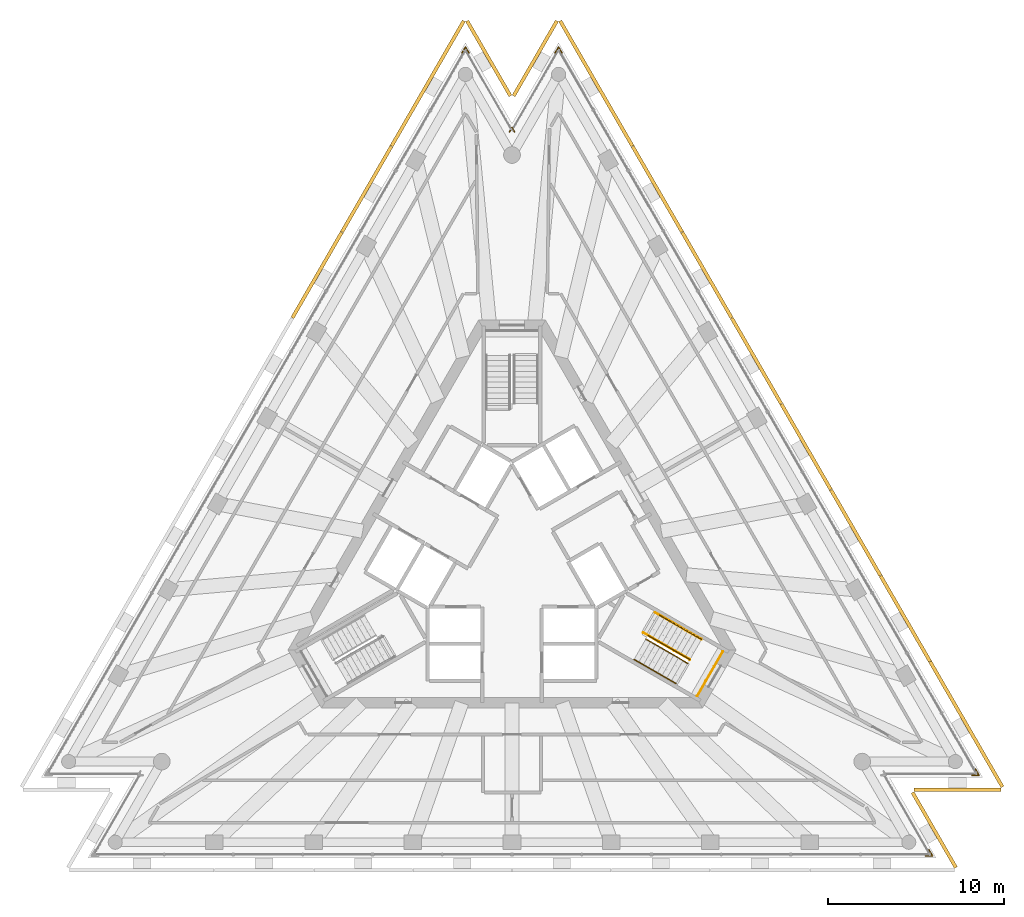
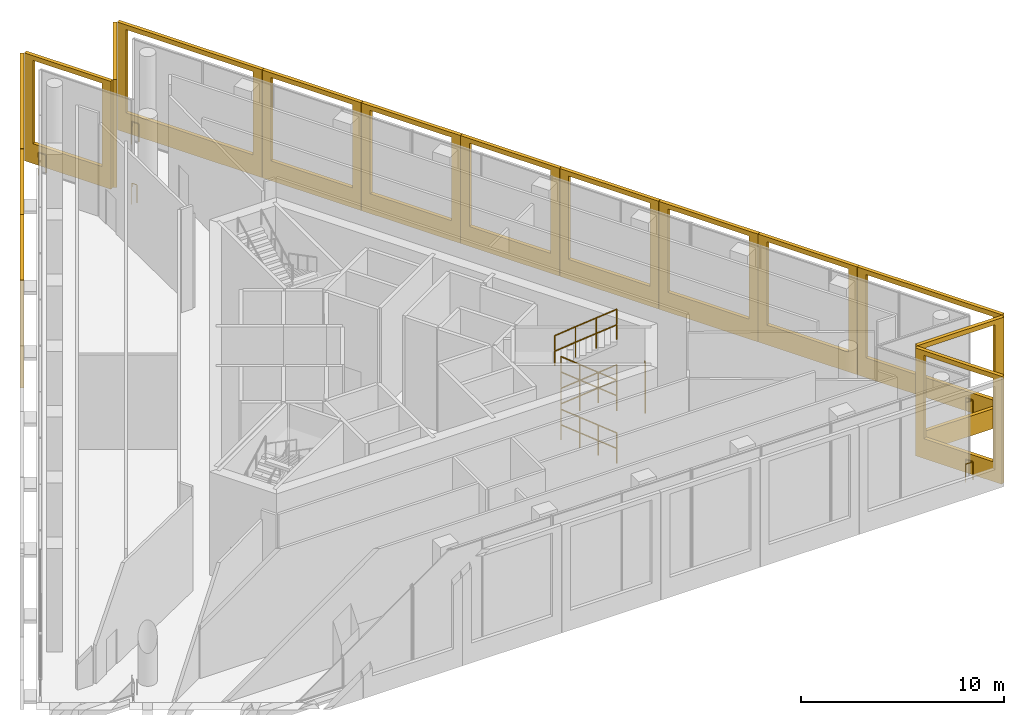
# One storey, part 16 of 16: 15 shading devices, 14 railings, 1 element without a shape of its own.
"""IFC4 building model written with IfcOpenShell, lengths in metres."""

from ifc_helpers import new_model, si_unit, direction, frame, origin, origin_2d, place, context, subcontext, project, spatial, polyline, circle, outline, extrude, material, layer, layer_set, type_object, element, aggregate, save


model = new_model("IFC4")

# Units and contexts
model_context = context("Model", 3, precision=1e-05, world=origin(), true_north=direction((0.0, 1.0)))
body_context = subcontext(model_context, "Body", "Model", "MODEL_VIEW")
ifc_project = project(units=[si_unit("LENGTHUNIT", "METRE"), si_unit("AREAUNIT", "SQUARE_METRE"), si_unit("VOLUMEUNIT", "CUBIC_METRE"), si_unit("PLANEANGLEUNIT", "RADIAN"), si_unit("MASSUNIT", "GRAM", prefix="KILO")], contexts=[model_context])

# Site, building, storey
site_placement = place(None, origin())
site = spatial("IfcSite", under=ifc_project, at=site_placement, CompositionType="ELEMENT")
building_placement = place(site_placement, origin())
building = spatial("IfcBuilding", under=site, at=building_placement, Name="Triada Interchange Tower", CompositionType="ELEMENT")
storey_placement = place(building_placement, frame((0.0, 0.0, 261.800048828125)))
storey = spatial("IfcBuildingStorey", under=building, at=storey_placement, Name="L61", CompositionType="ELEMENT", Elevation=261.800048828125)

# Railings
ifc_material_1 = material(Name="Stainless steel 1.4301", Category="steel")
railing_type_1 = type_object("IfcRailingType", Name="Edge guard 1100", PredefinedType="GUARDRAIL", material=ifc_material_1)
railing_1_placement = place(storey_placement, frame((-2.443115234375, 28.77587890625, 0.0)))
element("IfcRailing", 1, at=railing_1_placement, inside=storey, type_object=railing_type_1, Name="Edge guard L61 corner 01", PredefinedType="GUARDRAIL", context=body_context, shape_type="SweptSolid", body=[
    extrude(circle(Radius=0.02392578125, at=origin_2d()), frame((0.0, 0.0, 1.076171875), z_axis=(-0.49930626892, 0.866425559305, 0.0), x_axis=(-0.866425559305, -0.49930626892, 0.0)), (0.0, 0.0, 1.0), 0.40625),
    extrude(circle(Radius=0.02392578125, at=origin_2d()), frame((-0.202880859375, 0.35205078125, 1.076171875), z_axis=(-0.499757119926, -0.866165585257, 0.0), x_axis=(0.866165585257, -0.499757119926, 0.0)), (0.0, 0.0, 1.0), 0.406494140625),
    extrude(circle(Radius=0.02099609375, at=origin_2d()), origin(), (0.0, 0.0, 1.0), 1.052001953125),
    extrude(circle(Radius=0.02099609375, at=origin_2d()), frame((-0.202880859375, 0.35205078125, 0.0)), (0.0, 0.0, 1.0), 1.052001953125),
    extrude(circle(Radius=0.02099609375, at=origin_2d()), frame((-0.406005859375, 0.0, 0.0)), (0.0, 0.0, 1.0), 1.052001953125),
])
for number, where, name in (
    (2, (23.4970703125, -16.85595703125, 0.0), "Edge guard L61 corner 05"),
    (3, (26.14306640625, -12.27197265625, 0.0), "Edge guard L61 corner 07"),
):
    element("IfcRailing", number, at=place(storey_placement, frame(where)), inside=storey, type_object=railing_type_1, Name=name, PredefinedType="GUARDRAIL", context=body_context, shape_type="SweptSolid", body=[
        extrude(circle(Radius=0.02392578125, at=origin_2d()), frame((0.0, 0.0, 1.076171875), z_axis=(1.0, 0.0, 0.0), x_axis=(0.0, 1.0, 0.0)), (0.0, 0.0, 1.0), 0.406005859375),
        extrude(circle(Radius=0.02392578125, at=origin_2d()), frame((0.406005859375, 0.0, 1.076171875), z_axis=(-0.499757119926, 0.866165585257, 0.0), x_axis=(-0.866165585257, -0.499757119926, 0.0)), (0.0, 0.0, 1.0), 0.406494140625),
        extrude(circle(Radius=0.02099609375, at=origin_2d()), origin(), (0.0, 0.0, 1.0), 1.052001953125),
        extrude(circle(Radius=0.02099609375, at=origin_2d()), frame((0.406005859375, 0.0, 0.0)), (0.0, 0.0, 1.0), 1.052001953125),
        extrude(circle(Radius=0.02099609375, at=origin_2d()), frame((0.202880859375, 0.35205078125, 0.0)), (0.0, 0.0, 1.0), 1.052001953125),
    ])
railing_2_placement = place(storey_placement, frame((2.84912109375, 28.77587890625, 0.0)))
element("IfcRailing", 4, at=railing_2_placement, inside=storey, type_object=railing_type_1, Name="Edge guard L61 corner 08", PredefinedType="GUARDRAIL", context=body_context, shape_type="SweptSolid", body=[
    extrude(circle(Radius=0.02392578125, at=origin_2d()), frame((0.0, 0.0, 1.076171875), z_axis=(-0.499757119926, 0.866165585257, 0.0), x_axis=(-0.866165585257, -0.499757119926, 0.0)), (0.0, 0.0, 1.0), 0.406494140625),
    extrude(circle(Radius=0.02392578125, at=origin_2d()), frame((-0.203125, 0.35205078125, 1.076171875), z_axis=(-0.49930626892, -0.866425559305, 0.0), x_axis=(0.866425559305, -0.49930626892, 0.0)), (0.0, 0.0, 1.0), 0.40625),
    extrude(circle(Radius=0.02099609375, at=origin_2d()), origin(), (0.0, 0.0, 1.0), 1.052001953125),
    extrude(circle(Radius=0.02099609375, at=origin_2d()), frame((-0.203125, 0.35205078125, 0.0)), (0.0, 0.0, 1.0), 1.052001953125),
    extrude(circle(Radius=0.02099609375, at=origin_2d()), frame((-0.406005859375, 0.0, 0.0)), (0.0, 0.0, 1.0), 1.052001953125),
])
railing_3_placement = place(storey_placement, frame((-0.14306640625, 24.297119140625, 0.0)))
element("IfcRailing", 5, at=railing_3_placement, inside=storey, type_object=railing_type_1, Name="Edge guard L61 corner 09", PredefinedType="GUARDRAIL", context=body_context, shape_type="SweptSolid", body=[
    extrude(circle(Radius=0.02392578125, at=origin_2d()), frame((0.0, 0.0, 1.076171875), z_axis=(0.499993265928, 0.866029291668, 0.0), x_axis=(-0.866029291668, 0.499993265928, 0.0)), (0.0, 0.0, 1.0), 0.2861328125),
    extrude(circle(Radius=0.02392578125, at=origin_2d()), frame((0.14306640625, 0.247802734375, 1.076171875), z_axis=(0.499993265928, -0.866029291668, 0.0), x_axis=(0.866029291668, 0.499993265928, 0.0)), (0.0, 0.0, 1.0), 0.2861328125),
    extrude(circle(Radius=0.02099609375, at=origin_2d()), origin(), (0.0, 0.0, 1.0), 1.052001953125),
    extrude(circle(Radius=0.02099609375, at=origin_2d()), frame((0.14306640625, 0.247802734375, 0.0)), (0.0, 0.0, 1.0), 1.052001953125),
    extrude(circle(Radius=0.02099609375, at=origin_2d()), frame((0.2861328125, 0.0, 0.0)), (0.0, 0.0, 1.0), 1.052001953125),
])

# Shading devices
ifc_material_2 = material(Name="Concrete C50/60 precast", Category="concrete")
ifc_layer_1 = layer(ifc_material_2, 0.02001953125, Name="Exposed aggregate face")
ifc_layer_2 = layer(ifc_material_2, 0.179931640625, Name="Precast concrete screen")
ifc_layer_set = layer_set([ifc_layer_1, ifc_layer_2], Name="Outer skin screen panel 6480")
shading_device_type = type_object("IfcShadingDeviceType", Name="Outer skin screen panel 6480", PredefinedType="SHUTTER", material=ifc_layer_set)
shading_device_1_placement = place(storey_placement, frame((-2.65087890625, 30.55908203125, -0.2900390625), z_axis=(0.0, 0.0, 1.0), x_axis=(-0.500028551568, -0.866008918901, 0.0)))
element("IfcShadingDevice", 6, at=shading_device_1_placement, inside=storey, type_object=shading_device_type, Name="Outer skin screen panel L61 01", PredefinedType="SHUTTER", context=body_context, shape_type="SweptSolid", body=[
    extrude(outline(polyline([(0.0, 0.0), (8.2158203125, 0.0), (8.2158203125, 6.47998046875), (0.0, 6.47998046875), (0.0, 0.0)]), holes=[polyline([(0.5, 1.18994140625), (0.5, 6.199951171875), (7.7158203125, 6.199951171875), (7.7158203125, 1.18994140625), (0.5, 1.18994140625)])]), frame((0.0, 0.0, 0.0), z_axis=(0.0, -1.0, 0.0), x_axis=(1.0, 0.0, 0.0)), (0.0, 0.0, 1.0), 0.199951171875),
])
for number, where, z_axis, x_axis, name in (
    (7, (-6.76904296875, 23.427001953125, -0.2900390625), (0.0, 0.0, 1.0), (-0.500004601921, -0.866022746848, 0.0), "Outer skin screen panel L61 02"),
    (8, (-9.587890625, 18.5439453125, -0.2900390625), (0.0, 0.0, 1.0), (-0.500037195483, -0.866003927897, 0.0), "Outer skin screen panel L61 03"),
):
    element("IfcShadingDevice", number, at=place(storey_placement, frame(where, z_axis=z_axis, x_axis=x_axis)), inside=storey, type_object=shading_device_type, Name=name, PredefinedType="SHUTTER", context=body_context, shape_type="SweptSolid", body=[
        extrude(outline(polyline([(0.0, 0.0), (5.61767578125, 0.0), (5.61767578125, 6.47998046875), (0.0, 6.47998046875), (0.0, 0.0)]), holes=[polyline([(0.5, 1.18994140625), (0.5, 6.199951171875), (5.117919921875, 6.199951171875), (5.117919921875, 1.18994140625), (0.5, 1.18994140625)])]), frame((0.0, 0.0, 0.0), z_axis=(0.0, -1.0, 0.0), x_axis=(1.0, 0.0, 0.0)), (0.0, 0.0, 1.0), 0.199951171875),
    ])
shading_device_2_placement = place(storey_placement, frame((25.14501953125, -17.56689453125, -0.2900390625), z_axis=(0.0, 0.0, 1.0), x_axis=(-0.50003563795, 0.866004827227, 0.0)))
element("IfcShadingDevice", 9, at=shading_device_2_placement, inside=storey, type_object=shading_device_type, Name="Outer skin screen panel L61 19", PredefinedType="SHUTTER", context=body_context, shape_type="SweptSolid", body=[
    extrude(outline(polyline([(0.0, 0.0), (4.926025390625, 0.0), (4.926025390625, 6.47998046875), (0.0, 6.47998046875), (0.0, 0.0)]), holes=[polyline([(0.5, 1.18994140625), (0.5, 6.199951171875), (4.426513671875, 6.199951171875), (4.426513671875, 1.18994140625), (0.5, 1.18994140625)])]), frame((0.0, 0.0, 0.0), z_axis=(0.0, -1.0, 0.0), x_axis=(1.0, 0.0, 0.0)), (0.0, 0.0, 1.0), 0.199951171875),
])
shading_device_3_placement = place(storey_placement, frame((22.860107421875, -12.991943359375, -0.2900390625), z_axis=(0.0, 0.0, 1.0), x_axis=(1.0, 0.0, 0.0)))
element("IfcShadingDevice", 10, at=shading_device_3_placement, inside=storey, type_object=shading_device_type, Name="Outer skin screen panel L61 20", PredefinedType="SHUTTER", context=body_context, shape_type="SweptSolid", body=[
    extrude(outline(polyline([(0.0, 0.0), (4.92578125, 0.0), (4.92578125, 6.47998046875), (0.0, 6.47998046875), (0.0, 0.0)]), holes=[polyline([(0.5, 1.18994140625), (0.5, 6.199951171875), (4.426025390625, 6.199951171875), (4.426025390625, 1.18994140625), (0.5, 1.18994140625)])]), frame((0.0, 0.0, 0.0), z_axis=(0.0, -1.0, 0.0), x_axis=(1.0, 0.0, 0.0)), (0.0, 0.0, 1.0), 0.199951171875),
])
shading_device_4_placement = place(storey_placement, frame((27.791015625, -12.98291015625, -0.2900390625), z_axis=(0.0, 0.0, 1.0), x_axis=(-0.500006265035, 0.866021786635, 0.0)))
element("IfcShadingDevice", 11, at=shading_device_4_placement, inside=storey, type_object=shading_device_type, Name="Outer skin screen panel L61 21", PredefinedType="SHUTTER", context=body_context, shape_type="SweptSolid", body=[
    extrude(outline(polyline([(0.0, 0.0), (8.2158203125, 0.0), (8.2158203125, 6.47998046875), (0.0, 6.47998046875), (0.0, 0.0)]), holes=[polyline([(0.5, 1.18994140625), (0.5, 6.199951171875), (7.7158203125, 6.199951171875), (7.7158203125, 1.18994140625), (0.5, 1.18994140625)])]), frame((0.0, 0.0, 0.0), z_axis=(0.0, -1.0, 0.0), x_axis=(1.0, 0.0, 0.0)), (0.0, 0.0, 1.0), 0.199951171875),
])
for number, where, z_axis, x_axis, name in (
    (12, (23.673095703125, -5.85107421875, -0.2900390625), (0.0, 0.0, 1.0), (-0.500037195483, 0.866003927897, 0.0), "Outer skin screen panel L61 22"),
    (13, (20.85400390625, -0.968017578125, -0.2900390625), (0.0, 0.0, 1.0), (-0.500037195483, 0.866003927897, 0.0), "Outer skin screen panel L61 23"),
    (14, (18.034912109375, 3.9140625, -0.2900390625), (0.0, 0.0, 1.0), (-0.500004601921, 0.866022746848, 0.0), "Outer skin screen panel L61 24"),
    (15, (15.216064453125, 8.797119140625, -0.2900390625), (0.0, 0.0, 1.0), (-0.500037195483, 0.866003927897, 0.0), "Outer skin screen panel L61 25"),
    (16, (12.39697265625, 13.678955078125, -0.2900390625), (0.0, 0.0, 1.0), (-0.500037195483, 0.866003927897, 0.0), "Outer skin screen panel L61 26"),
    (17, (9.577880859375, 18.56201171875, -0.2900390625), (0.0, 0.0, 1.0), (-0.500004601921, 0.866022746848, 0.0), "Outer skin screen panel L61 27"),
):
    element("IfcShadingDevice", number, at=place(storey_placement, frame(where, z_axis=z_axis, x_axis=x_axis)), inside=storey, type_object=shading_device_type, Name=name, PredefinedType="SHUTTER", context=body_context, shape_type="SweptSolid", body=[
        extrude(outline(polyline([(0.0, 0.0), (5.61767578125, 0.0), (5.61767578125, 6.47998046875), (0.0, 6.47998046875), (0.0, 0.0)]), holes=[polyline([(0.5, 1.18994140625), (0.5, 6.199951171875), (5.117919921875, 6.199951171875), (5.117919921875, 1.18994140625), (0.5, 1.18994140625)])]), frame((0.0, 0.0, 0.0), z_axis=(0.0, -1.0, 0.0), x_axis=(1.0, 0.0, 0.0)), (0.0, 0.0, 1.0), 0.199951171875),
    ])
shading_device_5_placement = place(storey_placement, frame((6.759033203125, 23.444091796875, -0.2900390625), z_axis=(0.0, 0.0, 1.0), x_axis=(-0.500028551568, 0.866008918901, 0.0)))
element("IfcShadingDevice", 18, at=shading_device_5_placement, inside=storey, type_object=shading_device_type, Name="Outer skin screen panel L61 28", PredefinedType="SHUTTER", context=body_context, shape_type="SweptSolid", body=[
    extrude(outline(polyline([(0.0, 0.0), (8.2158203125, 0.0), (8.2158203125, 6.47998046875), (0.0, 6.47998046875), (0.0, 0.0)]), holes=[polyline([(0.5, 1.18994140625), (0.5, 6.199951171875), (7.7158203125, 6.199951171875), (7.7158203125, 1.18994140625), (0.5, 1.18994140625)])]), frame((0.0, 0.0, 0.0), z_axis=(0.0, -1.0, 0.0), x_axis=(1.0, 0.0, 0.0)), (0.0, 0.0, 1.0), 0.199951171875),
])
for number, where, z_axis, x_axis, name in (
    (19, (2.64111328125, 30.55908203125, -0.2900390625), (0.0, 0.0, 1.0), (-0.500100031439, -0.865967642903, 0.0), "Outer skin screen panel L61 29"),
    (20, (-0.177978515625, 26.2939453125, -0.2900390625), (0.0, 0.0, 1.0), (-0.500100031439, 0.865967642903, 0.0), "Outer skin screen panel L61 30"),
):
    element("IfcShadingDevice", number, at=place(storey_placement, frame(where, z_axis=z_axis, x_axis=x_axis)), inside=storey, type_object=shading_device_type, Name=name, PredefinedType="SHUTTER", context=body_context, shape_type="SweptSolid", body=[
        extrude(outline(polyline([(0.0, 0.0), (4.92529296875, 0.0), (4.92529296875, 6.47998046875), (0.0, 6.47998046875), (0.0, 0.0)]), holes=[polyline([(0.5, 1.18994140625), (0.5, 6.199951171875), (4.425537109375, 6.199951171875), (4.425537109375, 1.18994140625), (0.5, 1.18994140625)])]), frame((0.0, 0.0, 0.0), z_axis=(0.0, -1.0, 0.0), x_axis=(1.0, 0.0, 0.0)), (0.0, 0.0, 1.0), 0.199951171875),
    ])

# Stair, railings
ifc_material_3 = material(Name="Concrete C35/45", Category="concrete")
stair_type = type_object("IfcStairType", Name="HALF TURN STAIR 1400", PredefinedType="HALF_TURN_STAIR", material=ifc_material_3)
stair_placement = place(storey_placement, origin())
stair = element("IfcStair", 21, at=stair_placement, inside=storey, type_object=stair_type, Name="Exit stair S61-3", PredefinedType="HALF_TURN_STAIR")
railing_type_2 = type_object("IfcRailingType", Name="STAIR GUARD 1100", PredefinedType="GUARDRAIL", material=ifc_material_1)
railing_4_placement = place(storey_placement, frame((10.532958984375, -7.756103515625, 3.170654296875)))
railing_4 = element("IfcRailing", 22, at=railing_4_placement, type_object=railing_type_2, Name="Guard S61-3 1", PredefinedType="GUARDRAIL", context=body_context, shape_type="SweptSolid", body=[
    extrude(circle(Radius=0.02392578125, at=origin_2d()), frame((0.0, 0.0, 1.076171875), z_axis=(0.499877891294, 0.866095891802, 0.0), x_axis=(-0.866095891802, 0.499877891294, 0.0)), (0.0, 0.0, 1.0), 2.900634765625),
    extrude(circle(Radius=0.02099609375, at=origin_2d()), origin(), (0.0, 0.0, 1.0), 1.052001953125),
    extrude(circle(Radius=0.02099609375, at=origin_2d()), frame((0.4833984375, 0.83740234375, 0.0)), (0.0, 0.0, 1.0), 1.052001953125),
    extrude(circle(Radius=0.02099609375, at=origin_2d()), frame((0.966552734375, 1.6748046875, 0.0)), (0.0, 0.0, 1.0), 1.052001953125),
    extrude(circle(Radius=0.02099609375, at=origin_2d()), frame((1.449951171875, 2.51220703125, 0.0)), (0.0, 0.0, 1.0), 1.052001953125),
])
railing_type_3 = type_object("IfcRailingType", Name="STAIR HANDRAIL 900", PredefinedType="HANDRAIL", material=ifc_material_1)
railing_5_placement = place(storey_placement, frame((9.321044921875, -7.055908203125, 0.158447265625)))
railing_5 = element("IfcRailing", 23, at=railing_5_placement, type_object=railing_type_3, Name="Handrail S61-3 1W", PredefinedType="HANDRAIL", context=body_context, shape_type="SweptSolid", body=[
    extrude(circle(Radius=0.02392578125, at=origin_2d()), frame((0.0, 0.0, 0.8759765625), z_axis=(-0.768326583501, 0.443744903351, 0.461264264643), x_axis=(-0.500127924686, -0.865951533834, 0.0)), (0.0, 0.0, 1.0), 3.09375),
    extrude(circle(Radius=0.02099609375, at=origin_2d()), origin(), (0.0, 0.0, 1.0), 0.851806640625),
    extrude(circle(Radius=0.02099609375, at=origin_2d()), frame((-0.792236328125, 0.45751953125, 0.4755859375)), (0.0, 0.0, 1.0), 0.851806640625),
    extrude(circle(Radius=0.02099609375, at=origin_2d()), frame((-1.584716796875, 0.915283203125, 0.951416015625)), (0.0, 0.0, 1.0), 0.851806640625),
    extrude(circle(Radius=0.02099609375, at=origin_2d()), frame((-2.376953125, 1.372802734375, 1.427001953125)), (0.0, 0.0, 1.0), 0.851806640625),
])
railing_6_placement = place(storey_placement, frame((9.986083984375, -5.904052734375, 0.158447265625)))
railing_6 = element("IfcRailing", 24, at=railing_6_placement, type_object=railing_type_3, Name="Handrail S61-3 1C", PredefinedType="HANDRAIL", context=body_context, shape_type="SweptSolid", body=[
    extrude(circle(Radius=0.02392578125, at=origin_2d()), frame((0.0, 0.0, 0.8759765625), z_axis=(-0.768439612366, 0.443527844459, 0.461284742146), x_axis=(-0.499889283929, -0.866089316302, 0.0)), (0.0, 0.0, 1.0), 3.093505859375),
    extrude(circle(Radius=0.02099609375, at=origin_2d()), origin(), (0.0, 0.0, 1.0), 0.851806640625),
    extrude(circle(Radius=0.02099609375, at=origin_2d()), frame((-0.79248046875, 0.457275390625, 0.4755859375)), (0.0, 0.0, 1.0), 0.851806640625),
    extrude(circle(Radius=0.02099609375, at=origin_2d()), frame((-1.584716796875, 0.914794921875, 0.951416015625)), (0.0, 0.0, 1.0), 0.851806640625),
    extrude(circle(Radius=0.02099609375, at=origin_2d()), frame((-2.377197265625, 1.3720703125, 1.427001953125)), (0.0, 0.0, 1.0), 0.851806640625),
])
railing_7_placement = place(storey_placement, frame((8.39404296875, -3.172119140625, 1.743896484375)))
railing_7 = element("IfcRailing", 25, at=railing_7_placement, type_object=railing_type_3, Name="Handrail S61-3 2W", PredefinedType="HANDRAIL", context=body_context, shape_type="SweptSolid", body=[
    extrude(circle(Radius=0.02392578125, at=origin_2d()), frame((0.0, 0.0, 0.8759765625), z_axis=(0.768354550606, -0.443761055676, 0.461202135758), x_axis=(0.500127924686, 0.865951533834, 0.0)), (0.0, 0.0, 1.0), 3.093505859375),
    extrude(circle(Radius=0.02099609375, at=origin_2d()), origin(), (0.0, 0.0, 1.0), 0.851806640625),
    extrude(circle(Radius=0.02099609375, at=origin_2d()), frame((0.792236328125, -0.45751953125, 0.4755859375)), (0.0, 0.0, 1.0), 0.851806640625),
    extrude(circle(Radius=0.02099609375, at=origin_2d()), frame((1.584716796875, -0.915283203125, 0.951171875)), (0.0, 0.0, 1.0), 0.851806640625),
    extrude(circle(Radius=0.02099609375, at=origin_2d()), frame((2.376953125, -1.372802734375, 1.4267578125)), (0.0, 0.0, 1.0), 0.851806640625),
])
railing_8_placement = place(storey_placement, frame((7.72900390625, -4.323974609375, 1.743896484375)))
railing_8 = element("IfcRailing", 26, at=railing_8_placement, type_object=railing_type_3, Name="Handrail S61-3 2C", PredefinedType="HANDRAIL", context=body_context, shape_type="SweptSolid", body=[
    extrude(circle(Radius=0.02392578125, at=origin_2d()), frame((0.0, 0.0, 0.8759765625), z_axis=(0.768435267748, -0.443570892024, 0.461250585941), x_axis=(0.499927796446, 0.866067086513, 0.0)), (0.0, 0.0, 1.0), 3.09326171875),
    extrude(circle(Radius=0.02099609375, at=origin_2d()), origin(), (0.0, 0.0, 1.0), 0.851806640625),
    extrude(circle(Radius=0.02099609375, at=origin_2d()), frame((0.792236328125, -0.457275390625, 0.4755859375)), (0.0, 0.0, 1.0), 0.851806640625),
    extrude(circle(Radius=0.02099609375, at=origin_2d()), frame((1.584716796875, -0.914794921875, 0.951171875)), (0.0, 0.0, 1.0), 0.851806640625),
    extrude(circle(Radius=0.02099609375, at=origin_2d()), frame((2.376953125, -1.3720703125, 1.4267578125)), (0.0, 0.0, 1.0), 0.851806640625),
])
railing_9_placement = place(storey_placement, frame((9.321044921875, -7.055908203125, 3.329345703125)))
railing_9 = element("IfcRailing", 27, at=railing_9_placement, type_object=railing_type_3, Name="Handrail S61-3 3W", PredefinedType="HANDRAIL", context=body_context, shape_type="SweptSolid", body=[
    extrude(circle(Radius=0.02392578125, at=origin_2d()), frame((0.0, 0.0, 0.8759765625), z_axis=(-0.768354550606, 0.443761055676, 0.461202135758), x_axis=(-0.500127924686, -0.865951533834, 0.0)), (0.0, 0.0, 1.0), 3.093505859375),
    extrude(circle(Radius=0.02099609375, at=origin_2d()), origin(), (0.0, 0.0, 1.0), 0.851806640625),
    extrude(circle(Radius=0.02099609375, at=origin_2d()), frame((-0.792236328125, 0.45751953125, 0.4755859375)), (0.0, 0.0, 1.0), 0.851806640625),
    extrude(circle(Radius=0.02099609375, at=origin_2d()), frame((-1.584716796875, 0.915283203125, 0.951171875)), (0.0, 0.0, 1.0), 0.851806640625),
    extrude(circle(Radius=0.02099609375, at=origin_2d()), frame((-2.376953125, 1.372802734375, 1.4267578125)), (0.0, 0.0, 1.0), 0.851806640625),
])
railing_10_placement = place(storey_placement, frame((9.986083984375, -5.904052734375, 3.329345703125)))
railing_10 = element("IfcRailing", 28, at=railing_10_placement, type_object=railing_type_3, Name="Handrail S61-3 3C", PredefinedType="HANDRAIL", context=body_context, shape_type="SweptSolid", body=[
    extrude(circle(Radius=0.02392578125, at=origin_2d()), frame((0.0, 0.0, 0.8759765625), z_axis=(-0.768467586069, 0.443543990316, 0.461222611994), x_axis=(-0.499889283929, -0.866089316302, 0.0)), (0.0, 0.0, 1.0), 3.093505859375),
    extrude(circle(Radius=0.02099609375, at=origin_2d()), origin(), (0.0, 0.0, 1.0), 0.851806640625),
    extrude(circle(Radius=0.02099609375, at=origin_2d()), frame((-0.79248046875, 0.457275390625, 0.4755859375)), (0.0, 0.0, 1.0), 0.851806640625),
    extrude(circle(Radius=0.02099609375, at=origin_2d()), frame((-1.584716796875, 0.914794921875, 0.951171875)), (0.0, 0.0, 1.0), 0.851806640625),
    extrude(circle(Radius=0.02099609375, at=origin_2d()), frame((-2.377197265625, 1.3720703125, 1.4267578125)), (0.0, 0.0, 1.0), 0.851806640625),
])
railing_11_placement = place(storey_placement, frame((8.1298828125, -3.01904296875, 4.91455078125)))
railing_11 = element("IfcRailing", 29, at=railing_11_placement, type_object=railing_type_3, Name="Handrail S61-3 4W", PredefinedType="HANDRAIL", context=body_context, shape_type="SweptSolid", body=[
    extrude(circle(Radius=0.02392578125, at=origin_2d()), frame((0.0, 0.0, 0.8759765625), z_axis=(0.768387284065, -0.443644571665, 0.461259661926), x_axis=(0.500013496215, 0.866017611601, 0.0)), (0.0, 0.0, 1.0), 3.437255859375),
    extrude(circle(Radius=0.02099609375, at=origin_2d()), origin(), (0.0, 0.0, 1.0), 0.851806640625),
    extrude(circle(Radius=0.02099609375, at=origin_2d()), frame((0.88037109375, -0.50830078125, 0.528564453125)), (0.0, 0.0, 1.0), 0.851806640625),
    extrude(circle(Radius=0.02099609375, at=origin_2d()), frame((1.7607421875, -1.0166015625, 1.056884765625)), (0.0, 0.0, 1.0), 0.851806640625),
    extrude(circle(Radius=0.02099609375, at=origin_2d()), frame((2.64111328125, -1.52490234375, 1.58544921875)), (0.0, 0.0, 1.0), 0.851806640625),
])
railing_12_placement = place(storey_placement, frame((7.465087890625, -4.1708984375, 4.91455078125)))
railing_12 = element("IfcRailing", 30, at=railing_12_placement, type_object=railing_type_3, Name="Handrail S61-3 4C", PredefinedType="HANDRAIL", context=body_context, shape_type="SweptSolid", body=[
    extrude(circle(Radius=0.02392578125, at=origin_2d()), frame((0.0, 0.0, 0.8759765625), z_axis=(0.768333974207, -0.443725833121, 0.46127029939), x_axis=(0.500108199725, 0.865962925632, 0.0)), (0.0, 0.0, 1.0), 3.437255859375),
    extrude(circle(Radius=0.02099609375, at=origin_2d()), origin(), (0.0, 0.0, 1.0), 0.851806640625),
    extrude(circle(Radius=0.02099609375, at=origin_2d()), frame((0.88037109375, -0.50830078125, 0.528564453125)), (0.0, 0.0, 1.0), 0.851806640625),
    extrude(circle(Radius=0.02099609375, at=origin_2d()), frame((1.760498046875, -1.016845703125, 1.056884765625)), (0.0, 0.0, 1.0), 0.851806640625),
    extrude(circle(Radius=0.02099609375, at=origin_2d()), frame((2.640869140625, -1.525146484375, 1.58544921875)), (0.0, 0.0, 1.0), 0.851806640625),
])
aggregate(stair, [railing_5, railing_6, railing_7, railing_8, railing_9, railing_10, railing_11, railing_12, railing_4])

save(model, "model.ifc")
